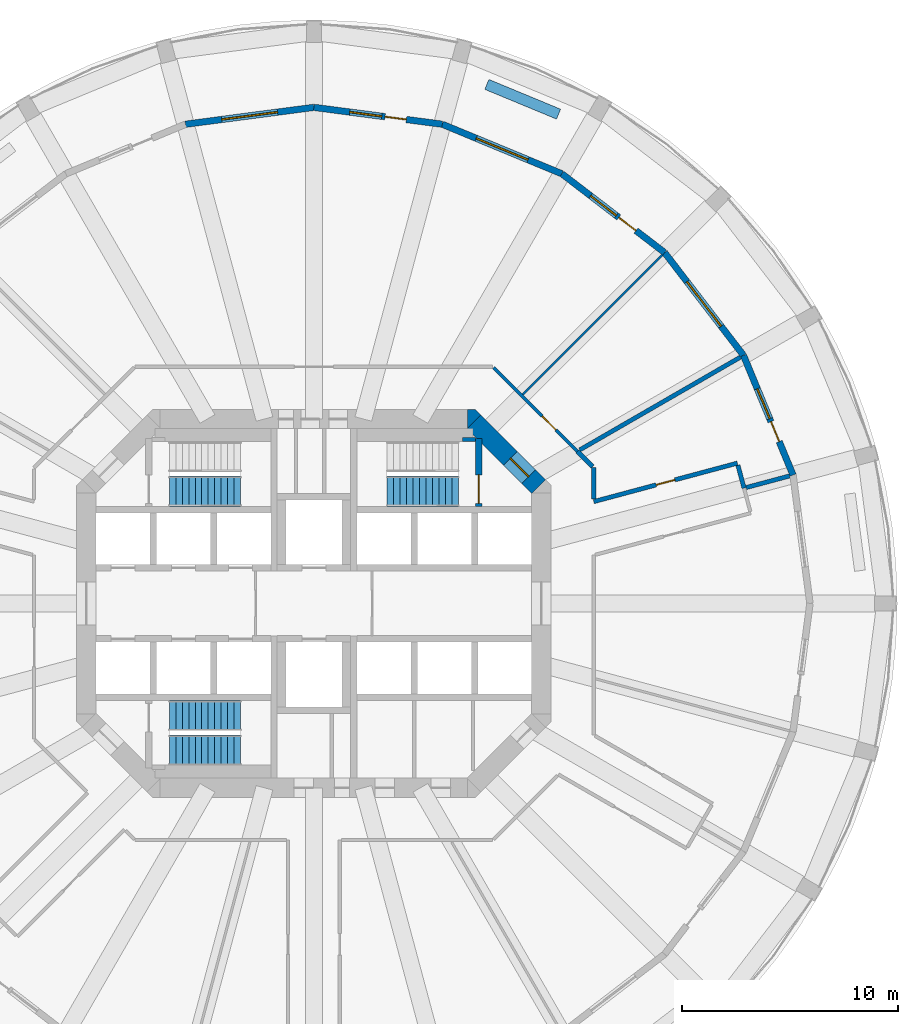
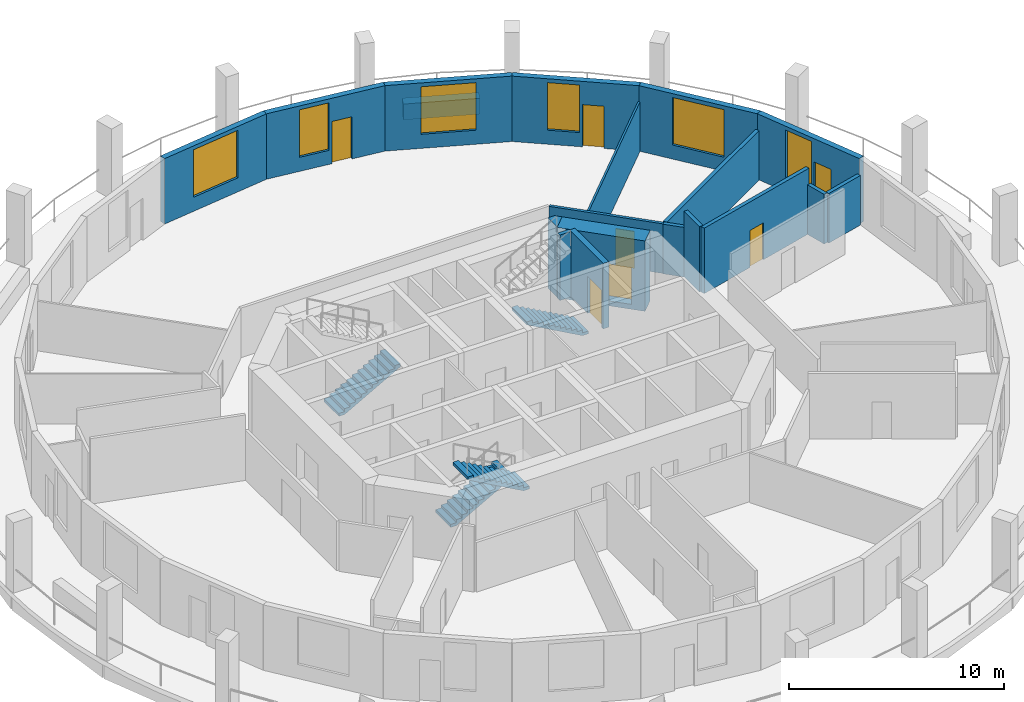
# One storey, part 6 of 9: 19 walls, 7 doors, 6 windows, 4 stair flights, 13 openings, 3 elements without a shape of their own.
"""IFC4 building model written with IfcOpenShell, lengths in metres."""

from ifc_helpers import new_model, si_unit, direction, frame, frame_2d, origin, place, context, subcontext, project, spatial, polyline, rectangle, outline, extrude, material, layer, layer_set, type_object, element, fill, aggregate, save


model = new_model("IFC4")

# Units and contexts
model_context = context("Model", 3, precision=1e-05, world=origin(), true_north=direction((0.0, 1.0)))
body_context = subcontext(model_context, "Body", "Model", "MODEL_VIEW")
ifc_project = project(units=[si_unit("LENGTHUNIT", "METRE"), si_unit("AREAUNIT", "SQUARE_METRE"), si_unit("VOLUMEUNIT", "CUBIC_METRE"), si_unit("PLANEANGLEUNIT", "RADIAN"), si_unit("MASSUNIT", "GRAM", prefix="KILO")], contexts=[model_context])

# Site, building, storey
site_placement = place(None, origin())
site = spatial("IfcSite", under=ifc_project, at=site_placement, CompositionType="ELEMENT")
building_placement = place(site_placement, origin())
building = spatial("IfcBuilding", under=site, at=building_placement, Name="Torre Triforio", CompositionType="ELEMENT")
storey_placement = place(building_placement, frame((0.0, 0.0, 47.0)))
storey = spatial("IfcBuildingStorey", under=building, at=storey_placement, Name="L09", CompositionType="ELEMENT", Elevation=47.0)

# Wall, opening, door
ifc_material_1 = material(Name="Concrete C60", Category="concrete")
ifc_layer_1 = layer(ifc_material_1, 0.89990234375)
ifc_layer_set_1 = layer_set([ifc_layer_1], Name="Concrete C60")
wall_type_1 = type_object("IfcWallType", Name="Core wall 900 mm C60 EI 120", PredefinedType="SHEAR", material=ifc_layer_set_1)
wall_1_placement = place(storey_placement, frame((7.418212890625, 8.418212890625, -0.280029296875), z_axis=(0.0, 0.0, 1.0), x_axis=(0.707106781187, -0.707106781187, 0.0)))
wall_1 = element("IfcWall", 1, at=wall_1_placement, inside=storey, type_object=wall_type_1, Name="Core wall", PredefinedType="SHEAR", context=body_context, shape_type="SweptSolid", body=[
    extrude(rectangle(XDim=4.24267578125, YDim=0.89990234375, at=frame_2d((2.121337890625, 0.0))), origin(), (0.0, 0.0, 1.0), 4.0),
])
opening_1_placement = place(wall_1_placement, frame((2.392578125, 0.0, 0.280029296875)))
opening_1 = element("IfcOpeningElement", 2, at=opening_1_placement, cuts=wall_1, Name="Opening ST2-EXIT", PredefinedType="OPENING", context=body_context, shape_type="SweptSolid", body=[
    extrude(rectangle(XDim=1.199951171875, YDim=2.10009765625, at=frame_2d((0.60009765625, 1.050048828125))), frame((0.0, 0.4599609375, 0.0), z_axis=(0.0, -1.0, 0.0), x_axis=(1.0, 0.0, 0.0)), (0.0, 0.0, 1.0), 0.919921875),
])
ifc_material_2 = material(Name="Hollow metal fire door leaf")
door_type_1 = type_object("IfcDoorType", Name="Stair lobby door 1200 x 2100 EI 60", OperationType="NOTDEFINED", PredefinedType="DOOR", material=ifc_material_2)
door_1_placement = place(opening_1_placement, origin())
door_1 = element("IfcDoor", 3, at=door_1_placement, inside=storey, type_object=door_type_1, Name="Core door ST2-EXIT", OperationType="SINGLE_SWING_RIGHT", OverallHeight=2.10009765625, OverallWidth=1.199951171875, PredefinedType="DOOR", context=body_context, shape_type="SweptSolid", body=[
    extrude(rectangle(XDim=1.199951171875, YDim=2.10009765625, at=frame_2d((0.60009765625, 1.050048828125))), frame((0.0, 0.02490234375, 0.0), z_axis=(0.0, -1.0, 0.0), x_axis=(1.0, 0.0, 0.0)), (0.0, 0.0, 1.0), 0.050048828125),
])
fill(opening_1, door_1)

# Wall
wall_2_placement = place(storey_placement, frame((0.0, 0.0, -0.280029296875)))
element("IfcWall", 4, at=wall_2_placement, inside=storey, type_object=wall_type_1, Name="Core wall", PredefinedType="SHEAR", context=body_context, shape_type="SweptSolid", body=[
    extrude(outline(polyline([(7.472900390625, 9.0), (7.736328125, 8.736328125), (7.1298828125, 8.1298828125), (7.1298828125, 9.0), (7.472900390625, 9.0)])), origin(), (0.0, 0.0, 1.0), 4.0),
])

# Wall, opening, door
ifc_material_3 = material(Name="Plasterboard on metal studs")
ifc_layer_2 = layer(ifc_material_3, 0.14990234375)
ifc_layer_set_2 = layer_set([ifc_layer_2], Name="Plasterboard on metal studs")
wall_type_2 = type_object("IfcWallType", Name="Corridor and tenancy wall 150 mm EI 60", PredefinedType="PARTITIONING", material=ifc_layer_set_2)
wall_3_placement = place(storey_placement, frame((8.327880859375, 10.93798828125, 0.0), z_axis=(0.0, 0.0, 1.0), x_axis=(0.707106781187, -0.707106781187, 0.0)))
wall_3 = element("IfcWall", 5, at=wall_3_placement, inside=storey, type_object=wall_type_2, Name="Partition 21", PredefinedType="PARTITIONING", context=body_context, shape_type="SweptSolid", body=[
    extrude(rectangle(XDim=5.495849609375, YDim=0.14990234375, at=frame_2d((2.748046875, 0.0))), origin(), (0.0, 0.0, 1.0), 2.820068359375),
])
opening_2_placement = place(wall_3_placement, frame((3.195556640625, 0.0, 0.0)))
opening_2 = element("IfcOpeningElement", 6, at=opening_2_placement, cuts=wall_3, Name="Opening N2-12", PredefinedType="OPENING", context=body_context, shape_type="SweptSolid", body=[
    extrude(rectangle(XDim=0.89990234375, YDim=2.10009765625, at=frame_2d((0.449951171875, 1.050048828125))), frame((0.0, 0.0849609375, 0.0), z_axis=(0.0, -1.0, 0.0), x_axis=(1.0, 0.0, 0.0)), (0.0, 0.0, 1.0), 0.169921875),
])
ifc_material_4 = material(Name="Timber", Category="wood")
door_type_2 = type_object("IfcDoorType", Name="Door 900 x 2100 single leaf EI 30", OperationType="NOTDEFINED", PredefinedType="DOOR", material=ifc_material_4)
door_2_placement = place(opening_2_placement, origin())
door_2 = element("IfcDoor", 7, at=door_2_placement, inside=storey, type_object=door_type_2, Name="Door N2-12", OperationType="SINGLE_SWING_RIGHT", OverallHeight=2.10009765625, OverallWidth=0.89990234375, PredefinedType="DOOR", context=body_context, shape_type="SweptSolid", body=[
    extrude(rectangle(XDim=0.89990234375, YDim=2.10009765625, at=frame_2d((0.449951171875, 1.050048828125))), frame((0.0, 0.02490234375, 0.0), z_axis=(0.0, -1.0, 0.0), x_axis=(1.0, 0.0, 0.0)), (0.0, 0.0, 1.0), 0.050048828125),
])
fill(opening_2, door_2)

# Walls
ifc_layer_3 = layer(ifc_material_3, 0.10009765625)
ifc_layer_set_3 = layer_set([ifc_layer_3], Name="Plasterboard on metal studs")
wall_type_3 = type_object("IfcWallType", Name="Partition 100 mm board on metal studs", PredefinedType="PARTITIONING", material=ifc_layer_set_3)
wall_4_placement = place(storey_placement, frame((9.68603515625, 9.68603515625, 0.0), z_axis=(0.0, 0.0, 1.0), x_axis=(0.707106781187, 0.707106781187, 0.0)))
element("IfcWall", 8, at=wall_4_placement, inside=storey, type_object=wall_type_3, Name="Partition 32", PredefinedType="PARTITIONING", context=body_context, shape_type="SweptSolid", body=[
    extrude(rectangle(XDim=9.138427734375, YDim=0.10009765625, at=frame_2d((4.5693359375, 0.0))), origin(), (0.0, 0.0, 1.0), 2.820068359375),
])
ifc_material_5 = material(Name="Masonry block", Category="masonry")
ifc_layer_4 = layer(ifc_material_5, 0.199951171875)
ifc_layer_set_4 = layer_set([ifc_layer_4], Name="Masonry block")
wall_type_4 = type_object("IfcWallType", Name="Plant room wall 200 mm block EI 120", PredefinedType="PARTITIONING", material=ifc_layer_set_4)
wall_5_placement = place(storey_placement, frame((12.214111328125, 7.0517578125, 0.0), z_axis=(0.0, 0.0, 1.0), x_axis=(0.707106781187, -0.707106781187, 0.0)))
element("IfcWall", 9, at=wall_5_placement, inside=storey, type_object=wall_type_4, Name="Partition 22", PredefinedType="PARTITIONING", context=body_context, shape_type="SweptSolid", body=[
    extrude(rectangle(XDim=1.006103515625, YDim=0.199951171875, at=frame_2d((0.5029296875, 0.0))), origin(), (0.0, 0.0, 1.0), 2.820068359375),
])
wall_6_placement = place(storey_placement, frame((12.97509765625, 6.291015625, 0.0), z_axis=(0.0, 0.0, 1.0), x_axis=(0.0, -1.0, 0.0)))
element("IfcWall", 10, at=wall_6_placement, inside=storey, type_object=wall_type_4, Name="Partition 23", PredefinedType="PARTITIONING", context=body_context, shape_type="SweptSolid", body=[
    extrude(rectangle(XDim=1.44189453125, YDim=0.199951171875, at=frame_2d((0.720947265625, 0.0))), origin(), (0.0, 0.0, 1.0), 3.719970703125),
])

# Wall, opening, door
wall_7_placement = place(storey_placement, frame((12.97509765625, 4.718994140625, 0.0), z_axis=(0.0, 0.0, 1.0), x_axis=(0.965924499418, 0.258823997003, 0.0)))
wall_7 = element("IfcWall", 11, at=wall_7_placement, inside=storey, type_object=wall_type_4, Name="Partition 24", PredefinedType="PARTITIONING", context=body_context, shape_type="SweptSolid", body=[
    extrude(rectangle(XDim=6.894287109375, YDim=0.199951171875, at=frame_2d((3.447265625, 0.0))), origin(), (0.0, 0.0, 1.0), 3.719970703125),
])
opening_3_placement = place(wall_7_placement, frame((2.997314453125, 0.0, 0.0)))
opening_3 = element("IfcOpeningElement", 12, at=opening_3_placement, cuts=wall_7, Name="Opening N2-11", PredefinedType="OPENING", context=body_context, shape_type="SweptSolid", body=[
    extrude(rectangle(XDim=0.89990234375, YDim=2.10009765625, at=frame_2d((0.449951171875, 1.050048828125))), frame((0.0, 0.10986328125, 0.0), z_axis=(0.0, -1.0, 0.0), x_axis=(1.0, 0.0, 0.0)), (0.0, 0.0, 1.0), 0.219970703125),
])
door_type_3 = type_object("IfcDoorType", Name="Door 900 x 2100 single leaf EI 60", OperationType="NOTDEFINED", PredefinedType="DOOR", material=ifc_material_2)
door_3_placement = place(opening_3_placement, origin())
door_3 = element("IfcDoor", 13, at=door_3_placement, inside=storey, type_object=door_type_3, Name="Door N2-11", OperationType="SINGLE_SWING_LEFT", OverallHeight=2.10009765625, OverallWidth=0.89990234375, PredefinedType="DOOR", context=body_context, shape_type="SweptSolid", body=[
    extrude(rectangle(XDim=0.89990234375, YDim=2.10009765625, at=frame_2d((0.449951171875, 1.050048828125))), frame((0.0, 0.02490234375, 0.0), z_axis=(0.0, -1.0, 0.0), x_axis=(1.0, 0.0, 0.0)), (0.0, 0.0, 1.0), 0.050048828125),
])
fill(opening_3, door_3)

# Walls
wall_8_placement = place(storey_placement, frame((19.660400390625, 6.40673828125, 0.0), z_axis=(0.0, 0.0, 1.0), x_axis=(0.258795254151, -0.965932200741, 0.0)))
element("IfcWall", 14, at=wall_8_placement, inside=storey, type_object=wall_type_4, Name="Partition 25", PredefinedType="PARTITIONING", context=body_context, shape_type="SweptSolid", body=[
    extrude(rectangle(XDim=1.099853515625, YDim=0.199951171875, at=frame_2d((0.5498046875, 0.0))), origin(), (0.0, 0.0, 1.0), 2.820068359375),
])
wall_9_placement = place(storey_placement, frame((20.041748046875, 5.3701171875, 0.0), z_axis=(0.0, 0.0, 1.0), x_axis=(0.965912035991, 0.258870505712, 0.0)))
element("IfcWall", 15, at=wall_9_placement, inside=storey, type_object=wall_type_4, Name="Partition 30", PredefinedType="PARTITIONING", context=body_context, shape_type="SweptSolid", body=[
    extrude(rectangle(XDim=2.088134765625, YDim=0.199951171875, at=frame_2d((1.0439453125, 0.0))), origin(), (0.0, 0.0, 1.0), 2.820068359375),
])
wall_10_placement = place(storey_placement, frame((12.32666015625, 7.11669921875, 0.0), z_axis=(0.0, 0.0, 1.0), x_axis=(0.866013092914, 0.500021322448, 0.0)))
element("IfcWall", 16, at=wall_10_placement, inside=storey, type_object=wall_type_4, Name="Partition 31", PredefinedType="PARTITIONING", context=body_context, shape_type="SweptSolid", body=[
    extrude(rectangle(XDim=8.60302734375, YDim=0.199951171875, at=frame_2d((4.301513671875, 0.0))), origin(), (0.0, 0.0, 1.0), 2.820068359375),
])
ifc_material_6 = material(Name="Limestone cladding", Category="masonry")
ifc_layer_5 = layer(ifc_material_6, 0.10009765625)
ifc_material_7 = material(Name="Concrete C40", Category="concrete")
ifc_layer_6 = layer(ifc_material_7, 0.39990234375)
ifc_layer_set_5 = layer_set([ifc_layer_5, ifc_layer_6], Name="Limestone cladding / Concrete C40")
wall_type_5 = type_object("IfcWallType", Name="Planter wall 500", PredefinedType="PARAPET", material=ifc_layer_set_5)
wall_11_placement = place(storey_placement, frame((11.344970703125, 22.685302734375, 0.0), z_axis=(0.0, 0.0, 1.0), x_axis=(-0.923885420167, 0.382669217998, 0.0)))
element("IfcWall", 17, at=wall_11_placement, inside=storey, type_object=wall_type_5, Name="Planter L09 bay 05", PredefinedType="PARAPET", context=body_context, shape_type="SweptSolid", body=[
    extrude(rectangle(XDim=3.60009765625, YDim=0.5, at=frame_2d((1.800048828125, 0.0))), origin(), (0.0, 0.0, 1.0), 0.89990234375),
])
ifc_layer_7 = layer(ifc_material_1, 0.199951171875)
ifc_layer_set_6 = layer_set([ifc_layer_7], Name="Concrete C60")
wall_type_6 = type_object("IfcWallType", Name="Stair wall 200 mm C60 EI 120", PredefinedType="SHEAR", material=ifc_layer_set_6)
wall_12_placement = place(storey_placement, frame((6.89990234375, 7.60009765625, 0.0), z_axis=(0.0, 0.0, 1.0), x_axis=(1.0, 0.0, 0.0)))
element("IfcWall", 18, at=wall_12_placement, inside=storey, type_object=wall_type_6, Name="Stair wall", PredefinedType="SHEAR", context=body_context, shape_type="SweptSolid", body=[
    extrude(rectangle(XDim=0.60009765625, YDim=0.199951171875, at=frame_2d((0.300048828125, 0.0))), origin(), (0.0, 0.0, 1.0), 3.719970703125),
])

# Wall, opening, door
ifc_layer_8 = layer(ifc_material_1, 0.300048828125)
ifc_layer_set_7 = layer_set([ifc_layer_8], Name="Concrete C60")
wall_type_7 = type_object("IfcWallType", Name="Stair wall 300 mm C60 EI 120", PredefinedType="SHEAR", material=ifc_layer_set_7)
wall_13_placement = place(storey_placement, frame((7.64990234375, 4.5, 0.0), z_axis=(0.0, 0.0, 1.0), x_axis=(0.0, 1.0, 0.0)))
wall_13 = element("IfcWall", 19, at=wall_13_placement, inside=storey, type_object=wall_type_7, Name="Stair wall", PredefinedType="SHEAR", context=body_context, shape_type="SweptSolid", body=[
    extrude(rectangle(XDim=3.139892578125, YDim=0.300048828125, at=frame_2d((1.56982421875, 0.0))), origin(), (0.0, 0.0, 1.0), 3.719970703125),
])
opening_4_placement = place(wall_13_placement, frame((0.139892578125, 0.0, 0.0)))
opening_4 = element("IfcOpeningElement", 20, at=opening_4_placement, cuts=wall_13, Name="Opening ST2-STA", PredefinedType="OPENING", context=body_context, shape_type="SweptSolid", body=[
    extrude(rectangle(XDim=1.320068359375, YDim=2.10009765625, at=frame_2d((0.66015625, 1.050048828125))), frame((0.0, 0.159912109375, 0.0), z_axis=(0.0, -1.0, 0.0), x_axis=(1.0, 0.0, 0.0)), (0.0, 0.0, 1.0), 0.320068359375),
])
door_type_4 = type_object("IfcDoorType", Name="Stair door 1320 x 2100 EI 90", OperationType="DOUBLE_DOOR_SINGLE_SWING", PredefinedType="DOOR", material=ifc_material_2)
door_4_placement = place(opening_4_placement, origin())
door_4 = element("IfcDoor", 21, at=door_4_placement, inside=storey, type_object=door_type_4, Name="Core door ST2-ST", OperationType="DOUBLE_DOOR_SINGLE_SWING", OverallHeight=2.10009765625, OverallWidth=1.320068359375, PredefinedType="DOOR", context=body_context, shape_type="SweptSolid", body=[
    extrude(rectangle(XDim=1.320068359375, YDim=2.10009765625, at=frame_2d((0.66015625, 1.050048828125))), frame((0.0, 0.02490234375, 0.0), z_axis=(0.0, -1.0, 0.0), x_axis=(1.0, 0.0, 0.0)), (0.0, 0.0, 1.0), 0.050048828125),
])
fill(opening_4, door_4)

# Wall, openings, door, window
ifc_layer_9 = layer(ifc_material_6, 0.10009765625)
ifc_layer_10 = layer(ifc_material_7, 0.199951171875)
ifc_layer_set_8 = layer_set([ifc_layer_9, ifc_layer_10], Name="Limestone cladding / Concrete C40")
wall_type_8 = type_object("IfcWallType", Name="Stone-faced composite wall 300", PredefinedType="STANDARD", material=ifc_layer_set_8)
wall_14_placement = place(storey_placement, frame((22.21630859375, 5.952880859375, 0.0), z_axis=(0.0, 0.0, 1.0), x_axis=(-0.382671411433, 0.923884511653, 0.0)))
wall_14 = element("IfcWall", 22, at=wall_14_placement, inside=storey, type_object=wall_type_8, Name="External wall L09 bay 02", PredefinedType="STANDARD", context=body_context, shape_type="SweptSolid", body=[
    extrude(rectangle(XDim=6.004150390625, YDim=0.300048828125, at=frame_2d((3.001953125, 0.0))), origin(), (0.0, 0.0, 1.0), 3.719970703125),
])
opening_5_placement = place(wall_14_placement, frame((1.677001953125, 0.0, 0.0)))
opening_5 = element("IfcOpeningElement", 23, at=opening_5_placement, cuts=wall_14, Name="Opening N2-D02", PredefinedType="OPENING", context=body_context, shape_type="SweptSolid", body=[
    extrude(rectangle(XDim=1.0, YDim=2.39990234375, at=frame_2d((0.5, 1.199951171875))), frame((0.0, 0.159912109375, 0.0), z_axis=(0.0, -1.0, 0.0), x_axis=(1.0, 0.0, 0.0)), (0.0, 0.0, 1.0), 0.320068359375),
])
opening_6_placement = place(wall_14_placement, frame((2.8271484375, 0.0, 0.800048828125)))
opening_6 = element("IfcOpeningElement", 24, at=opening_6_placement, cuts=wall_14, Name="Opening N2-W02A", PredefinedType="OPENING", context=body_context, shape_type="SweptSolid", body=[
    extrude(rectangle(XDim=1.5, YDim=2.699951171875, at=frame_2d((0.75, 1.35009765625))), frame((0.0, 0.159912109375, 0.0), z_axis=(0.0, -1.0, 0.0), x_axis=(1.0, 0.0, 0.0)), (0.0, 0.0, 1.0), 0.320068359375),
])
ifc_material_8 = material(Name="Aluminium frame with clear double glazing", Category="aluminium")
door_type_5 = type_object("IfcDoorType", Name="Loggia door 1000 x 2400", OperationType="NOTDEFINED", PredefinedType="DOOR", material=ifc_material_8)
door_5_placement = place(opening_5_placement, origin())
door_5 = element("IfcDoor", 25, at=door_5_placement, inside=storey, type_object=door_type_5, Name="Loggia door L09 bay 02", OperationType="SINGLE_SWING_LEFT", OverallHeight=2.39990234375, OverallWidth=1.0, PredefinedType="DOOR", context=body_context, shape_type="SweptSolid", body=[
    extrude(rectangle(XDim=1.0, YDim=2.39990234375, at=frame_2d((0.5, 1.199951171875))), frame((0.0, 0.02490234375, 0.0), z_axis=(0.0, -1.0, 0.0), x_axis=(1.0, 0.0, 0.0)), (0.0, 0.0, 1.0), 0.050048828125),
])
fill(opening_5, door_5)
window_type_1 = type_object("IfcWindowType", Name="Side window 1500 x 2700", PartitioningType="SINGLE_PANEL", PredefinedType="WINDOW", material=ifc_material_8)
window_1_placement = place(opening_6_placement, origin())
window_1 = element("IfcWindow", 26, at=window_1_placement, inside=storey, type_object=window_type_1, Name="Side window EWN12 L09 bay 02", OverallHeight=2.699951171875, OverallWidth=1.5, PartitioningType="SINGLE_PANEL", PredefinedType="WINDOW", context=body_context, shape_type="SweptSolid", body=[
    extrude(rectangle(XDim=1.5, YDim=2.699951171875, at=frame_2d((0.75, 1.35009765625))), frame((0.0, 0.030029296875, 0.0), z_axis=(0.0, -1.0, 0.0), x_axis=(1.0, 0.0, 0.0)), (0.0, 0.0, 1.0), 0.06005859375),
])
fill(opening_6, window_1)

# Wall, opening, window
wall_15_placement = place(storey_placement, frame((19.918701171875, 11.5, 0.0), z_axis=(0.0, 0.0, 1.0), x_axis=(-0.608778912074, 0.793339924758, 0.0)))
wall_15 = element("IfcWall", 27, at=wall_15_placement, inside=storey, type_object=wall_type_8, Name="External wall L09 bay 03", PredefinedType="STANDARD", context=body_context, shape_type="SweptSolid", body=[
    extrude(rectangle(XDim=6.004150390625, YDim=0.300048828125, at=frame_2d((3.001953125, 0.0))), origin(), (0.0, 0.0, 1.0), 3.719970703125),
])
opening_7_placement = place(wall_15_placement, frame((1.7021484375, 0.0, 0.800048828125)))
opening_7 = element("IfcOpeningElement", 28, at=opening_7_placement, cuts=wall_15, Name="Opening N2-W03", PredefinedType="OPENING", context=body_context, shape_type="SweptSolid", body=[
    extrude(rectangle(XDim=2.60009765625, YDim=2.699951171875, at=frame_2d((1.300048828125, 1.35009765625))), frame((0.0, 0.159912109375, 0.0), z_axis=(0.0, -1.0, 0.0), x_axis=(1.0, 0.0, 0.0)), (0.0, 0.0, 1.0), 0.320068359375),
])
window_type_2 = type_object("IfcWindowType", Name="Punched window 2600 x 2700", PartitioningType="DOUBLE_PANEL_VERTICAL", PredefinedType="WINDOW", material=ifc_material_8)
window_2_placement = place(opening_7_placement, origin())
window_2 = element("IfcWindow", 29, at=window_2_placement, inside=storey, type_object=window_type_2, Name="Window EWN2 L09 bay 03", OverallHeight=2.699951171875, OverallWidth=2.60009765625, PartitioningType="SINGLE_PANEL", PredefinedType="WINDOW", context=body_context, shape_type="SweptSolid", body=[
    extrude(rectangle(XDim=2.60009765625, YDim=2.699951171875, at=frame_2d((1.300048828125, 1.35009765625))), frame((0.0, 0.030029296875, 0.0), z_axis=(0.0, -1.0, 0.0), x_axis=(1.0, 0.0, 0.0)), (0.0, 0.0, 1.0), 0.06005859375),
])
fill(opening_7, window_2)

# Wall, openings, door, window
wall_16_placement = place(storey_placement, frame((16.263427734375, 16.263427734375, 0.0), z_axis=(0.0, 0.0, 1.0), x_axis=(-0.793339924758, 0.608778912074, 0.0)))
wall_16 = element("IfcWall", 30, at=wall_16_placement, inside=storey, type_object=wall_type_8, Name="External wall L09 bay 04", PredefinedType="STANDARD", context=body_context, shape_type="SweptSolid", body=[
    extrude(rectangle(XDim=6.004150390625, YDim=0.300048828125, at=frame_2d((3.001953125, 0.0))), origin(), (0.0, 0.0, 1.0), 3.719970703125),
])
opening_8_placement = place(wall_16_placement, frame((1.677001953125, 0.0, 0.0)))
opening_8 = element("IfcOpeningElement", 31, at=opening_8_placement, cuts=wall_16, Name="Opening N2-D04", PredefinedType="OPENING", context=body_context, shape_type="SweptSolid", body=[
    extrude(rectangle(XDim=1.0, YDim=2.39990234375, at=frame_2d((0.5, 1.199951171875))), frame((0.0, 0.159912109375, 0.0), z_axis=(0.0, -1.0, 0.0), x_axis=(1.0, 0.0, 0.0)), (0.0, 0.0, 1.0), 0.320068359375),
])
opening_9_placement = place(wall_16_placement, frame((2.8271484375, 0.0, 0.800048828125)))
opening_9 = element("IfcOpeningElement", 32, at=opening_9_placement, cuts=wall_16, Name="Opening N2-W04A", PredefinedType="OPENING", context=body_context, shape_type="SweptSolid", body=[
    extrude(rectangle(XDim=1.5, YDim=2.699951171875, at=frame_2d((0.75, 1.35009765625))), frame((0.0, 0.159912109375, 0.0), z_axis=(0.0, -1.0, 0.0), x_axis=(1.0, 0.0, 0.0)), (0.0, 0.0, 1.0), 0.320068359375),
])
door_6_placement = place(opening_8_placement, origin())
door_6 = element("IfcDoor", 33, at=door_6_placement, inside=storey, type_object=door_type_5, Name="Loggia door L09 bay 04", OperationType="SINGLE_SWING_LEFT", OverallHeight=2.39990234375, OverallWidth=1.0, PredefinedType="DOOR", context=body_context, shape_type="SweptSolid", body=[
    extrude(rectangle(XDim=1.0, YDim=2.39990234375, at=frame_2d((0.5, 1.199951171875))), frame((0.0, 0.02490234375, 0.0), z_axis=(0.0, -1.0, 0.0), x_axis=(1.0, 0.0, 0.0)), (0.0, 0.0, 1.0), 0.050048828125),
])
fill(opening_8, door_6)
window_3_placement = place(opening_9_placement, origin())
window_3 = element("IfcWindow", 34, at=window_3_placement, inside=storey, type_object=window_type_1, Name="Side window EWN12 L09 bay 04", OverallHeight=2.699951171875, OverallWidth=1.5, PartitioningType="SINGLE_PANEL", PredefinedType="WINDOW", context=body_context, shape_type="SweptSolid", body=[
    extrude(rectangle(XDim=1.5, YDim=2.699951171875, at=frame_2d((0.75, 1.35009765625))), frame((0.0, 0.030029296875, 0.0), z_axis=(0.0, -1.0, 0.0), x_axis=(1.0, 0.0, 0.0)), (0.0, 0.0, 1.0), 0.06005859375),
])
fill(opening_9, window_3)

# Wall, opening, window
wall_17_placement = place(storey_placement, frame((11.5, 19.918701171875, 0.0), z_axis=(0.0, 0.0, 1.0), x_axis=(-0.923884511653, 0.382671411433, 0.0)))
wall_17 = element("IfcWall", 35, at=wall_17_placement, inside=storey, type_object=wall_type_8, Name="External wall L09 bay 05", PredefinedType="STANDARD", context=body_context, shape_type="SweptSolid", body=[
    extrude(rectangle(XDim=6.004150390625, YDim=0.300048828125, at=frame_2d((3.001953125, 0.0))), origin(), (0.0, 0.0, 1.0), 3.719970703125),
])
opening_10_placement = place(wall_17_placement, frame((1.7021484375, 0.0, 0.800048828125)))
opening_10 = element("IfcOpeningElement", 36, at=opening_10_placement, cuts=wall_17, Name="Opening N2-W05", PredefinedType="OPENING", context=body_context, shape_type="SweptSolid", body=[
    extrude(rectangle(XDim=2.60009765625, YDim=2.699951171875, at=frame_2d((1.300048828125, 1.35009765625))), frame((0.0, 0.159912109375, 0.0), z_axis=(0.0, -1.0, 0.0), x_axis=(1.0, 0.0, 0.0)), (0.0, 0.0, 1.0), 0.320068359375),
])
window_4_placement = place(opening_10_placement, origin())
window_4 = element("IfcWindow", 37, at=window_4_placement, inside=storey, type_object=window_type_2, Name="Window EWN2 L09 bay 05", OverallHeight=2.699951171875, OverallWidth=2.60009765625, PartitioningType="SINGLE_PANEL", PredefinedType="WINDOW", context=body_context, shape_type="SweptSolid", body=[
    extrude(rectangle(XDim=2.60009765625, YDim=2.699951171875, at=frame_2d((1.300048828125, 1.35009765625))), frame((0.0, 0.030029296875, 0.0), z_axis=(0.0, -1.0, 0.0), x_axis=(1.0, 0.0, 0.0)), (0.0, 0.0, 1.0), 0.06005859375),
])
fill(opening_10, window_4)

# Wall, openings, door, window
wall_18_placement = place(storey_placement, frame((5.952880859375, 22.21630859375, 0.0), z_axis=(0.0, 0.0, 1.0), x_axis=(-0.991445297315, 0.130522880875, 0.0)))
wall_18 = element("IfcWall", 38, at=wall_18_placement, inside=storey, type_object=wall_type_8, Name="External wall L09 bay 06", PredefinedType="STANDARD", context=body_context, shape_type="SweptSolid", body=[
    extrude(rectangle(XDim=6.004150390625, YDim=0.300048828125, at=frame_2d((3.001953125, 0.0))), origin(), (0.0, 0.0, 1.0), 3.719970703125),
])
opening_11_placement = place(wall_18_placement, frame((1.677001953125, 0.0, 0.0)))
opening_11 = element("IfcOpeningElement", 39, at=opening_11_placement, cuts=wall_18, Name="Opening N2-D06", PredefinedType="OPENING", context=body_context, shape_type="SweptSolid", body=[
    extrude(rectangle(XDim=1.0, YDim=2.39990234375, at=frame_2d((0.5, 1.199951171875))), frame((0.0, 0.159912109375, 0.0), z_axis=(0.0, -1.0, 0.0), x_axis=(1.0, 0.0, 0.0)), (0.0, 0.0, 1.0), 0.320068359375),
])
opening_12_placement = place(wall_18_placement, frame((2.8271484375, 0.0, 0.800048828125)))
opening_12 = element("IfcOpeningElement", 40, at=opening_12_placement, cuts=wall_18, Name="Opening N2-W06A", PredefinedType="OPENING", context=body_context, shape_type="SweptSolid", body=[
    extrude(rectangle(XDim=1.5, YDim=2.699951171875, at=frame_2d((0.75, 1.35009765625))), frame((0.0, 0.159912109375, 0.0), z_axis=(0.0, -1.0, 0.0), x_axis=(1.0, 0.0, 0.0)), (0.0, 0.0, 1.0), 0.320068359375),
])
door_7_placement = place(opening_11_placement, origin())
door_7 = element("IfcDoor", 41, at=door_7_placement, inside=storey, type_object=door_type_5, Name="Loggia door L09 bay 06", OperationType="SINGLE_SWING_LEFT", OverallHeight=2.39990234375, OverallWidth=1.0, PredefinedType="DOOR", context=body_context, shape_type="SweptSolid", body=[
    extrude(rectangle(XDim=1.0, YDim=2.39990234375, at=frame_2d((0.5, 1.199951171875))), frame((0.0, 0.02490234375, 0.0), z_axis=(0.0, -1.0, 0.0), x_axis=(1.0, 0.0, 0.0)), (0.0, 0.0, 1.0), 0.050048828125),
])
fill(opening_11, door_7)
window_5_placement = place(opening_12_placement, origin())
window_5 = element("IfcWindow", 42, at=window_5_placement, inside=storey, type_object=window_type_1, Name="Side window EWN12 L09 bay 06", OverallHeight=2.699951171875, OverallWidth=1.5, PartitioningType="SINGLE_PANEL", PredefinedType="WINDOW", context=body_context, shape_type="SweptSolid", body=[
    extrude(rectangle(XDim=1.5, YDim=2.699951171875, at=frame_2d((0.75, 1.35009765625))), frame((0.0, 0.030029296875, 0.0), z_axis=(0.0, -1.0, 0.0), x_axis=(1.0, 0.0, 0.0)), (0.0, 0.0, 1.0), 0.06005859375),
])
fill(opening_12, window_5)

# Wall, opening, window
wall_19_placement = place(storey_placement, frame((0.0, 23.0, 0.0), z_axis=(0.0, 0.0, 1.0), x_axis=(-0.991445297315, -0.130522880875, 0.0)))
wall_19 = element("IfcWall", 43, at=wall_19_placement, inside=storey, type_object=wall_type_8, Name="External wall L09 bay 07", PredefinedType="STANDARD", context=body_context, shape_type="SweptSolid", body=[
    extrude(rectangle(XDim=6.004150390625, YDim=0.300048828125, at=frame_2d((3.001953125, 0.0))), origin(), (0.0, 0.0, 1.0), 3.719970703125),
])
opening_13_placement = place(wall_19_placement, frame((1.7021484375, 0.0, 0.800048828125)))
opening_13 = element("IfcOpeningElement", 44, at=opening_13_placement, cuts=wall_19, Name="Opening N2-W07", PredefinedType="OPENING", context=body_context, shape_type="SweptSolid", body=[
    extrude(rectangle(XDim=2.60009765625, YDim=2.699951171875, at=frame_2d((1.300048828125, 1.35009765625))), frame((0.0, 0.159912109375, 0.0), z_axis=(0.0, -1.0, 0.0), x_axis=(1.0, 0.0, 0.0)), (0.0, 0.0, 1.0), 0.320068359375),
])
window_6_placement = place(opening_13_placement, origin())
window_6 = element("IfcWindow", 45, at=window_6_placement, inside=storey, type_object=window_type_2, Name="Window EWN2 L09 bay 07", OverallHeight=2.699951171875, OverallWidth=2.60009765625, PartitioningType="SINGLE_PANEL", PredefinedType="WINDOW", context=body_context, shape_type="SweptSolid", body=[
    extrude(rectangle(XDim=2.60009765625, YDim=2.699951171875, at=frame_2d((1.300048828125, 1.35009765625))), frame((0.0, 0.030029296875, 0.0), z_axis=(0.0, -1.0, 0.0), x_axis=(1.0, 0.0, 0.0)), (0.0, 0.0, 1.0), 0.06005859375),
])
fill(opening_13, window_6)

# Stair, stair flight
stair_type = type_object("IfcStairType", Name="STAIR HALF-TURN", PredefinedType="HALF_TURN_STAIR", material=ifc_material_7)
stair_1_placement = place(storey_placement, origin())
stair_1 = element("IfcStair", 46, at=stair_1_placement, inside=storey, type_object=stair_type, Name="Exit stair 1", PredefinedType="HALF_TURN_STAIR")
stair_flight_type = type_object("IfcStairFlightType", Name="STAIR FLIGHT 1400", PredefinedType="STRAIGHT", material=ifc_material_7)
stair_flight_1_placement = place(storey_placement, frame((-6.699951171875, 5.199951171875, 0.0), z_axis=(0.0, 0.0, 1.0), x_axis=(1.0, 0.0, 0.0)))
stair_flight_1 = element("IfcStairFlight", 47, at=stair_flight_1_placement, type_object=stair_flight_type, Name="ST1 flight 1", NumberOfRisers=12, NumberOfTreads=11, PredefinedType="STRAIGHT", RiserHeight=0.166666667, TreadLength=0.3, context=body_context, shape_type="SweptSolid", body=[
    extrude(outline(polyline([(0.0, 0.0), (0.0, 0.166748046875), (0.300048828125, 0.166748046875), (0.300048828125, 0.333251953125), (0.60009765625, 0.333251953125), (0.60009765625, 0.5), (0.89990234375, 0.5), (0.89990234375, 0.666748046875), (1.199951171875, 0.666748046875), (1.199951171875, 0.833251953125), (1.5, 0.833251953125), (1.5, 1.0), (1.800048828125, 1.0), (1.800048828125, 1.166748046875), (2.10009765625, 1.166748046875), (2.10009765625, 1.333251953125), (2.39990234375, 1.333251953125), (2.39990234375, 1.5), (2.699951171875, 1.5), (2.699951171875, 1.666748046875), (3.0, 1.666748046875), (3.0, 1.833251953125), (3.300048828125, 1.833251953125), (3.300048828125, 2.0), (3.300048828125, 1.661865234375), (0.30859375, 0.0), (0.0, 0.0)])), frame((0.0, 0.699951171875, 0.0), z_axis=(0.0, -1.0, 0.0), x_axis=(1.0, 0.0, 0.0)), (0.0, 0.0, 1.0), 1.39990234375),
])
aggregate(stair_1, [stair_flight_1])

stair_2_placement = place(storey_placement, origin())
stair_2 = element("IfcStair", 48, at=stair_2_placement, inside=storey, type_object=stair_type, Name="Exit stair 2", PredefinedType="HALF_TURN_STAIR")
stair_flight_2_placement = place(storey_placement, frame((6.699951171875, 5.199951171875, 0.0), z_axis=(0.0, 0.0, 1.0), x_axis=(-1.0, 0.0, 0.0)))
stair_flight_2 = element("IfcStairFlight", 49, at=stair_flight_2_placement, type_object=stair_flight_type, Name="ST2 flight 1", NumberOfRisers=12, NumberOfTreads=11, PredefinedType="STRAIGHT", RiserHeight=0.166666667, TreadLength=0.3, context=body_context, shape_type="SweptSolid", body=[
    extrude(outline(polyline([(0.0, 0.0), (0.0, 0.166748046875), (0.300048828125, 0.166748046875), (0.300048828125, 0.333251953125), (0.60009765625, 0.333251953125), (0.60009765625, 0.5), (0.89990234375, 0.5), (0.89990234375, 0.666748046875), (1.199951171875, 0.666748046875), (1.199951171875, 0.833251953125), (1.5, 0.833251953125), (1.5, 1.0), (1.800048828125, 1.0), (1.800048828125, 1.166748046875), (2.10009765625, 1.166748046875), (2.10009765625, 1.333251953125), (2.39990234375, 1.333251953125), (2.39990234375, 1.5), (2.699951171875, 1.5), (2.699951171875, 1.666748046875), (3.0, 1.666748046875), (3.0, 1.833251953125), (3.300048828125, 1.833251953125), (3.300048828125, 2.0), (3.300048828125, 1.661865234375), (0.30859375, 0.0), (0.0, 0.0)])), frame((0.0, 0.699951171875, 0.0), z_axis=(0.0, -1.0, 0.0), x_axis=(1.0, 0.0, 0.0)), (0.0, 0.0, 1.0), 1.39990234375),
])
aggregate(stair_2, [stair_flight_2])

# Stair, stair flights
stair_3_placement = place(storey_placement, origin())
stair_3 = element("IfcStair", 50, at=stair_3_placement, inside=storey, type_object=stair_type, Name="Exit stair 3", PredefinedType="HALF_TURN_STAIR")
stair_flight_3_placement = place(storey_placement, frame((-6.699951171875, -5.199951171875, 0.0), z_axis=(0.0, 0.0, 1.0), x_axis=(1.0, 0.0, 0.0)))
stair_flight_3 = element("IfcStairFlight", 51, at=stair_flight_3_placement, type_object=stair_flight_type, Name="ST3 flight 1", NumberOfRisers=12, NumberOfTreads=11, PredefinedType="STRAIGHT", RiserHeight=0.166666667, TreadLength=0.3, context=body_context, shape_type="SweptSolid", body=[
    extrude(outline(polyline([(0.0, 0.0), (0.0, 0.166748046875), (0.300048828125, 0.166748046875), (0.300048828125, 0.333251953125), (0.60009765625, 0.333251953125), (0.60009765625, 0.5), (0.89990234375, 0.5), (0.89990234375, 0.666748046875), (1.199951171875, 0.666748046875), (1.199951171875, 0.833251953125), (1.5, 0.833251953125), (1.5, 1.0), (1.800048828125, 1.0), (1.800048828125, 1.166748046875), (2.10009765625, 1.166748046875), (2.10009765625, 1.333251953125), (2.39990234375, 1.333251953125), (2.39990234375, 1.5), (2.699951171875, 1.5), (2.699951171875, 1.666748046875), (3.0, 1.666748046875), (3.0, 1.833251953125), (3.300048828125, 1.833251953125), (3.300048828125, 2.0), (3.300048828125, 1.661865234375), (0.30859375, 0.0), (0.0, 0.0)])), frame((0.0, 0.699951171875, 0.0), z_axis=(0.0, -1.0, 0.0), x_axis=(1.0, 0.0, 0.0)), (0.0, 0.0, 1.0), 1.39990234375),
])
stair_flight_4_placement = place(storey_placement, frame((-3.39990234375, -6.800048828125, 2.0), z_axis=(0.0, 0.0, 1.0), x_axis=(-1.0, 0.0, 0.0)))
stair_flight_4 = element("IfcStairFlight", 52, at=stair_flight_4_placement, type_object=stair_flight_type, Name="ST3 flight 2", NumberOfRisers=12, NumberOfTreads=11, PredefinedType="STRAIGHT", RiserHeight=0.166666667, TreadLength=0.3, context=body_context, shape_type="SweptSolid", body=[
    extrude(outline(polyline([(0.0, 0.0), (0.0, 0.166748046875), (0.300048828125, 0.166748046875), (0.300048828125, 0.333251953125), (0.60009765625, 0.333251953125), (0.60009765625, 0.5), (0.89990234375, 0.5), (0.89990234375, 0.666748046875), (1.199951171875, 0.666748046875), (1.199951171875, 0.833251953125), (1.5, 0.833251953125), (1.5, 1.0), (1.800048828125, 1.0), (1.800048828125, 1.166748046875), (2.10009765625, 1.166748046875), (2.10009765625, 1.333251953125), (2.39990234375, 1.333251953125), (2.39990234375, 1.5), (2.699951171875, 1.5), (2.699951171875, 1.666748046875), (3.0, 1.666748046875), (3.0, 1.833251953125), (3.300048828125, 1.833251953125), (3.300048828125, 2.0), (3.300048828125, 1.661865234375), (0.30859375, 0.0), (0.0, 0.0)])), frame((0.0, 0.699951171875, 0.0), z_axis=(0.0, -1.0, 0.0), x_axis=(1.0, 0.0, 0.0)), (0.0, 0.0, 1.0), 1.39990234375),
])
aggregate(stair_3, [stair_flight_3, stair_flight_4])

save(model, "model.ifc")
